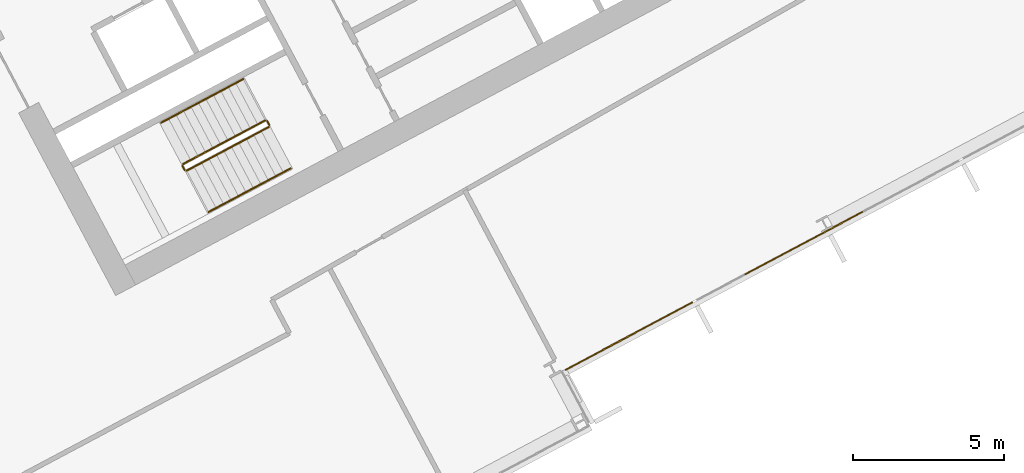
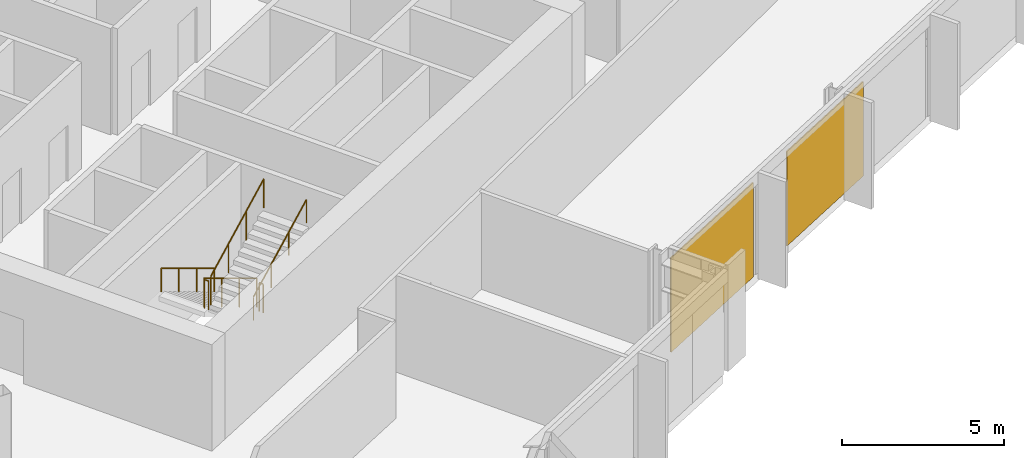
# One storey, part 25 of 28: 6 railings, 2 coverings, 1 element without a shape of its own.
"""IFC4 building model written with IfcOpenShell, lengths in metres."""

from ifc_helpers import new_model, si_unit, direction, frame, origin, origin_2d, place, context, subcontext, project, spatial, polyline, rectangle, outline, extrude, material, layer, layer_set, type_object, element, aggregate, save


model = new_model("IFC4")

# Units and contexts
model_context = context("Model", 3, precision=1e-05, world=origin(), true_north=direction((0.0, 1.0)))
body_context = subcontext(model_context, "Body", "Model", "MODEL_VIEW")
ifc_project = project(units=[si_unit("LENGTHUNIT", "METRE"), si_unit("AREAUNIT", "SQUARE_METRE"), si_unit("VOLUMEUNIT", "CUBIC_METRE"), si_unit("PLANEANGLEUNIT", "RADIAN"), si_unit("MASSUNIT", "GRAM", prefix="KILO")], contexts=[model_context])

# Site, building, storey
site_placement = place(None, origin())
site = spatial("IfcSite", under=ifc_project, at=site_placement, CompositionType="ELEMENT")
building_placement = place(site_placement, origin())
building = spatial("IfcBuilding", under=site, at=building_placement, Name="Cormorant Relay Tower", CompositionType="ELEMENT")
storey_placement = place(building_placement, frame((0.0, 0.0, 142.199951171875)))
storey = spatial("IfcBuildingStorey", under=building, at=storey_placement, Name="L29", CompositionType="ELEMENT", Elevation=142.199951171875)

# Curtain wall, coverings
ifc_material_1 = material(Name="Aluminium 6063-T6 anodised bronze", Category="aluminium")
ifc_layer_1 = layer(ifc_material_1, 0.199951171875)
ifc_layer_set_1 = layer_set([ifc_layer_1], Name="CW1 unitised bronze curtain wall with vertical fins")
curtain_wall_type = type_object("IfcCurtainWallType", Name="CW1 unitised bronze curtain wall with vertical fins", PredefinedType="NOTDEFINED", material=ifc_layer_set_1)
curtain_wall_placement = place(storey_placement, origin())
curtain_wall = element("IfcCurtainWall", 1, at=curtain_wall_placement, inside=storey, type_object=curtain_wall_type, Name="CW1 curtain wall 4", PredefinedType="NOTDEFINED")
ifc_material_2 = material(Name="Pale bronze anodised aluminium insulated panel", Category="aluminium")
ifc_layer_2 = layer(ifc_material_2, 0.0400390625)
ifc_layer_set_2 = layer_set([ifc_layer_2], Name="CW1 pale bronze insulated panel 40")
covering_type = type_object("IfcCoveringType", Name="CW1 pale bronze insulated panel 40", PredefinedType="CLADDING", material=ifc_layer_set_2)
covering_1_placement = place(storey_placement, frame((35.892333984375, -2.457275390625, 0.0), z_axis=(0.0, 0.0, 1.0), x_axis=(0.882947592859, 0.469471562786, 0.0)))
covering_1 = element("IfcCovering", 2, at=covering_1_placement, type_object=covering_type, Name="CW1 panel S00", PredefinedType="CLADDING", context=body_context, shape_type="SweptSolid", body=[
    extrude(rectangle(XDim=4.77490234375, YDim=0.0400390625, at=origin_2d()), origin(), (0.0, 0.0, 1.0), 3.550048828125),
])
covering_2_placement = place(storey_placement, frame((41.686767578125, 0.623779296875, 0.0), z_axis=(0.0, 0.0, 1.0), x_axis=(0.882947592859, 0.469471562786, 0.0)))
covering_2 = element("IfcCovering", 3, at=covering_2_placement, type_object=covering_type, Name="CW1 panel S02", PredefinedType="CLADDING", context=body_context, shape_type="SweptSolid", body=[
    extrude(rectangle(XDim=4.449951171875, YDim=0.0400390625, at=origin_2d()), origin(), (0.0, 0.0, 1.0), 3.550048828125),
])
aggregate(curtain_wall, [covering_1, covering_2])

# Railings
ifc_material_3 = material(Name="Steel ASTM A572 Grade 50 (Fy 345 MPa)", Category="steel")
railing_type_1 = type_object("IfcRailingType", Name="Stair guard 1100", PredefinedType="GUARDRAIL", material=ifc_material_3)
railing_1_placement = place(storey_placement, frame((23.83837890625, 4.6904296875, 0.166748046875)))
element("IfcRailing", 4, at=railing_1_placement, inside=storey, type_object=railing_type_1, Name="L29 B1 stair guard 1", PredefinedType="GUARDRAIL", context=body_context, shape_type="SweptSolid", body=[
    extrude(outline(polyline([(0.022216796875, 0.00927734375), (0.00927734375, 0.022216796875), (-0.00927734375, 0.022216796875), (-0.022216796875, 0.00927734375), (-0.022216796875, -0.00927734375), (-0.00927734375, -0.022216796875), (0.00927734375, -0.022216796875), (0.022216796875, -0.00927734375), (0.022216796875, 0.00927734375)])), frame((0.0, 0.0, 1.076171875), z_axis=(-0.758713656843, -0.403434867536, 0.511462505542), x_axis=(0.469489399267, -0.882938108802, 0.0)), (0.0, 0.0, 1.0), 3.584228515625),
    extrude(outline(polyline([(0.019287109375, 0.008056640625), (0.008056640625, 0.019287109375), (-0.008056640625, 0.019287109375), (-0.019287109375, 0.008056640625), (-0.019287109375, -0.008056640625), (-0.008056640625, -0.019287109375), (0.008056640625, -0.019287109375), (0.019287109375, -0.008056640625), (0.019287109375, 0.008056640625)])), origin(), (0.0, 0.0, 1.0), 1.052001953125),
    extrude(outline(polyline([(0.019287109375, 0.008056640625), (0.008056640625, 0.019287109375), (-0.008056640625, 0.019287109375), (-0.019287109375, 0.008056640625), (-0.019287109375, -0.008056640625), (-0.008056640625, -0.019287109375), (0.008056640625, -0.019287109375), (0.019287109375, -0.008056640625), (0.019287109375, 0.008056640625)])), frame((-0.906494140625, -0.48193359375, 0.611083984375)), (0.0, 0.0, 1.0), 1.052001953125),
    extrude(outline(polyline([(0.019287109375, 0.008056640625), (0.008056640625, 0.019287109375), (-0.008056640625, 0.019287109375), (-0.019287109375, 0.008056640625), (-0.019287109375, -0.008056640625), (-0.008056640625, -0.019287109375), (0.008056640625, -0.019287109375), (0.019287109375, -0.008056640625), (0.019287109375, 0.008056640625)])), frame((-1.81298828125, -0.964111328125, 1.22216796875)), (0.0, 0.0, 1.0), 1.052001953125),
    extrude(outline(polyline([(0.019287109375, 0.008056640625), (0.008056640625, 0.019287109375), (-0.008056640625, 0.019287109375), (-0.019287109375, 0.008056640625), (-0.019287109375, -0.008056640625), (-0.008056640625, -0.019287109375), (0.008056640625, -0.019287109375), (0.019287109375, -0.008056640625), (0.019287109375, 0.008056640625)])), frame((-2.719482421875, -1.446044921875, 1.833251953125)), (0.0, 0.0, 1.0), 1.052001953125),
])
railing_2_placement = place(storey_placement, frame((21.09814453125, 3.1767578125, 2.0)))
element("IfcRailing", 5, at=railing_2_placement, inside=storey, type_object=railing_type_1, Name="L29 B1 stair guard 2", PredefinedType="GUARDRAIL", context=body_context, shape_type="SweptSolid", body=[
    extrude(outline(polyline([(0.022216796875, 0.00927734375), (0.00927734375, 0.022216796875), (-0.00927734375, 0.022216796875), (-0.022216796875, 0.00927734375), (-0.022216796875, -0.00927734375), (-0.00927734375, -0.022216796875), (0.00927734375, -0.022216796875), (0.022216796875, -0.00927734375), (0.022216796875, 0.00927734375)])), frame((0.0, 0.0, 1.076171875), z_axis=(0.469234640946, -0.883073525669, 0.0), x_axis=(0.883073525669, 0.469234640946, 0.0)), (0.0, 0.0, 1.0), 0.14990234375),
    extrude(outline(polyline([(0.019287109375, 0.008056640625), (0.008056640625, 0.019287109375), (-0.008056640625, 0.019287109375), (-0.019287109375, 0.008056640625), (-0.019287109375, -0.008056640625), (-0.008056640625, -0.019287109375), (0.008056640625, -0.019287109375), (0.019287109375, -0.008056640625), (0.019287109375, 0.008056640625)])), origin(), (0.0, 0.0, 1.0), 1.052001953125),
    extrude(outline(polyline([(0.019287109375, 0.008056640625), (0.008056640625, 0.019287109375), (-0.008056640625, 0.019287109375), (-0.019287109375, 0.008056640625), (-0.019287109375, -0.008056640625), (-0.008056640625, -0.019287109375), (0.008056640625, -0.019287109375), (0.019287109375, -0.008056640625), (0.019287109375, 0.008056640625)])), frame((0.0703125, -0.13232421875, 0.0)), (0.0, 0.0, 1.0), 1.052001953125),
])
railing_3_placement = place(storey_placement, frame((21.236083984375, 3.023681640625, 2.166748046875)))
element("IfcRailing", 6, at=railing_3_placement, inside=storey, type_object=railing_type_1, Name="L29 B1 stair guard 3", PredefinedType="GUARDRAIL", context=body_context, shape_type="SweptSolid", body=[
    extrude(outline(polyline([(0.022216796875, 0.00927734375), (0.00927734375, 0.022216796875), (-0.00927734375, 0.022216796875), (-0.022216796875, 0.00927734375), (-0.022216796875, -0.00927734375), (-0.00927734375, -0.022216796875), (0.00927734375, -0.022216796875), (0.022216796875, -0.00927734375), (0.022216796875, 0.00927734375)])), frame((0.0, 0.0, 1.076171875), z_axis=(0.758713656843, 0.403434867536, 0.511462505542), x_axis=(-0.469489399267, 0.882938108802, 0.0)), (0.0, 0.0, 1.0), 3.584228515625),
    extrude(outline(polyline([(0.019287109375, 0.008056640625), (0.008056640625, 0.019287109375), (-0.008056640625, 0.019287109375), (-0.019287109375, 0.008056640625), (-0.019287109375, -0.008056640625), (-0.008056640625, -0.019287109375), (0.008056640625, -0.019287109375), (0.019287109375, -0.008056640625), (0.019287109375, 0.008056640625)])), origin(), (0.0, 0.0, 1.0), 1.052001953125),
    extrude(outline(polyline([(0.019287109375, 0.008056640625), (0.008056640625, 0.019287109375), (-0.008056640625, 0.019287109375), (-0.019287109375, 0.008056640625), (-0.019287109375, -0.008056640625), (-0.008056640625, -0.019287109375), (0.008056640625, -0.019287109375), (0.019287109375, -0.008056640625), (0.019287109375, 0.008056640625)])), frame((0.906494140625, 0.48193359375, 0.611083984375)), (0.0, 0.0, 1.0), 1.052001953125),
    extrude(outline(polyline([(0.019287109375, 0.008056640625), (0.008056640625, 0.019287109375), (-0.008056640625, 0.019287109375), (-0.019287109375, 0.008056640625), (-0.019287109375, -0.008056640625), (-0.008056640625, -0.019287109375), (0.008056640625, -0.019287109375), (0.019287109375, -0.008056640625), (0.019287109375, 0.008056640625)])), frame((1.81298828125, 0.964111328125, 1.22216796875)), (0.0, 0.0, 1.0), 1.052001953125),
    extrude(outline(polyline([(0.019287109375, 0.008056640625), (0.008056640625, 0.019287109375), (-0.008056640625, 0.019287109375), (-0.019287109375, 0.008056640625), (-0.019287109375, -0.008056640625), (-0.008056640625, -0.019287109375), (0.008056640625, -0.019287109375), (0.019287109375, -0.008056640625), (0.019287109375, 0.008056640625)])), frame((2.719482421875, 1.446044921875, 1.833251953125)), (0.0, 0.0, 1.0), 1.052001953125),
])
railing_4_placement = place(storey_placement, frame((23.906005859375, 4.669677734375, 0.0)))
element("IfcRailing", 7, at=railing_4_placement, inside=storey, type_object=railing_type_1, Name="L29 B1 stair guard 4", PredefinedType="GUARDRAIL", context=body_context, shape_type="SweptSolid", body=[
    extrude(outline(polyline([(0.022216796875, 0.00927734375), (0.00927734375, 0.022216796875), (-0.00927734375, 0.022216796875), (-0.022216796875, 0.00927734375), (-0.022216796875, -0.00927734375), (-0.00927734375, -0.022216796875), (0.00927734375, -0.022216796875), (0.022216796875, -0.00927734375), (0.022216796875, 0.00927734375)])), frame((0.0, 0.0, 1.076171875), z_axis=(0.469234640946, -0.883073525669, 0.0), x_axis=(0.883073525669, 0.469234640946, 0.0)), (0.0, 0.0, 1.0), 0.14990234375),
    extrude(outline(polyline([(0.019287109375, 0.008056640625), (0.008056640625, 0.019287109375), (-0.008056640625, 0.019287109375), (-0.019287109375, 0.008056640625), (-0.019287109375, -0.008056640625), (-0.008056640625, -0.019287109375), (0.008056640625, -0.019287109375), (0.019287109375, -0.008056640625), (0.019287109375, 0.008056640625)])), origin(), (0.0, 0.0, 1.0), 1.052001953125),
    extrude(outline(polyline([(0.019287109375, 0.008056640625), (0.008056640625, 0.019287109375), (-0.008056640625, 0.019287109375), (-0.019287109375, 0.008056640625), (-0.019287109375, -0.008056640625), (-0.008056640625, -0.019287109375), (0.008056640625, -0.019287109375), (0.019287109375, -0.008056640625), (0.019287109375, 0.008056640625)])), frame((0.0703125, -0.13232421875, 0.0)), (0.0, 0.0, 1.0), 1.052001953125),
])
ifc_material_4 = material(Name="Steel ASTM A572 Grade 50 (Fy 345 MPa)", Category="steel")
railing_type_2 = type_object("IfcRailingType", Name="Stair handrail 900", PredefinedType="HANDRAIL", material=ifc_material_4)
railing_5_placement = place(storey_placement, frame((23.110595703125, 6.05908203125, 0.166748046875)))
element("IfcRailing", 8, at=railing_5_placement, inside=storey, type_object=railing_type_2, Name="L29 B1 stair handrail 1", PredefinedType="HANDRAIL", context=body_context, shape_type="SweptSolid", body=[
    extrude(outline(polyline([(0.022216796875, 0.00927734375), (0.00927734375, 0.022216796875), (-0.00927734375, 0.022216796875), (-0.022216796875, 0.00927734375), (-0.022216796875, -0.00927734375), (-0.00927734375, -0.022216796875), (0.00927734375, -0.022216796875), (0.022216796875, -0.00927734375), (0.022216796875, 0.00927734375)])), frame((0.0, 0.0, 0.8759765625), z_axis=(-0.758713656843, -0.403434867536, 0.511462505542), x_axis=(0.469489399267, -0.882938108802, 0.0)), (0.0, 0.0, 1.0), 3.584228515625),
    extrude(outline(polyline([(0.019287109375, 0.008056640625), (0.008056640625, 0.019287109375), (-0.008056640625, 0.019287109375), (-0.019287109375, 0.008056640625), (-0.019287109375, -0.008056640625), (-0.008056640625, -0.019287109375), (0.008056640625, -0.019287109375), (0.019287109375, -0.008056640625), (0.019287109375, 0.008056640625)])), origin(), (0.0, 0.0, 1.0), 0.851806640625),
    extrude(outline(polyline([(0.019287109375, 0.008056640625), (0.008056640625, 0.019287109375), (-0.008056640625, 0.019287109375), (-0.019287109375, 0.008056640625), (-0.019287109375, -0.008056640625), (-0.008056640625, -0.019287109375), (0.008056640625, -0.019287109375), (0.019287109375, -0.008056640625), (0.019287109375, 0.008056640625)])), frame((-0.906494140625, -0.48193359375, 0.611083984375)), (0.0, 0.0, 1.0), 0.851806640625),
    extrude(outline(polyline([(0.019287109375, 0.008056640625), (0.008056640625, 0.019287109375), (-0.008056640625, 0.019287109375), (-0.019287109375, 0.008056640625), (-0.019287109375, -0.008056640625), (-0.008056640625, -0.019287109375), (0.008056640625, -0.019287109375), (0.019287109375, -0.008056640625), (0.019287109375, 0.008056640625)])), frame((-1.81298828125, -0.964111328125, 1.22216796875)), (0.0, 0.0, 1.0), 0.851806640625),
    extrude(outline(polyline([(0.019287109375, 0.008056640625), (0.008056640625, 0.019287109375), (-0.008056640625, 0.019287109375), (-0.019287109375, 0.008056640625), (-0.019287109375, -0.008056640625), (-0.008056640625, -0.019287109375), (0.008056640625, -0.019287109375), (0.019287109375, -0.008056640625), (0.019287109375, 0.008056640625)])), frame((-2.719482421875, -1.446044921875, 1.833251953125)), (0.0, 0.0, 1.0), 0.851806640625),
])
railing_6_placement = place(storey_placement, frame((21.9638671875, 1.6552734375, 2.166748046875)))
element("IfcRailing", 9, at=railing_6_placement, inside=storey, type_object=railing_type_2, Name="L29 B1 stair handrail 2", PredefinedType="HANDRAIL", context=body_context, shape_type="SweptSolid", body=[
    extrude(outline(polyline([(0.022216796875, 0.00927734375), (0.00927734375, 0.022216796875), (-0.00927734375, 0.022216796875), (-0.022216796875, 0.00927734375), (-0.022216796875, -0.00927734375), (-0.00927734375, -0.022216796875), (0.00927734375, -0.022216796875), (0.022216796875, -0.00927734375), (0.022216796875, 0.00927734375)])), frame((0.0, 0.0, 0.8759765625), z_axis=(0.758734504837, 0.403377838015, 0.511476559549), x_axis=(-0.469427602063, 0.882970965786, 0.0)), (0.0, 0.0, 1.0), 3.584228515625),
    extrude(outline(polyline([(0.019287109375, 0.008056640625), (0.008056640625, 0.019287109375), (-0.008056640625, 0.019287109375), (-0.019287109375, 0.008056640625), (-0.019287109375, -0.008056640625), (-0.008056640625, -0.019287109375), (0.008056640625, -0.019287109375), (0.019287109375, -0.008056640625), (0.019287109375, 0.008056640625)])), origin(), (0.0, 0.0, 1.0), 0.851806640625),
    extrude(outline(polyline([(0.019287109375, 0.008056640625), (0.008056640625, 0.019287109375), (-0.008056640625, 0.019287109375), (-0.019287109375, 0.008056640625), (-0.019287109375, -0.008056640625), (-0.008056640625, -0.019287109375), (0.008056640625, -0.019287109375), (0.019287109375, -0.008056640625), (0.019287109375, 0.008056640625)])), frame((0.906494140625, 0.48193359375, 0.611083984375)), (0.0, 0.0, 1.0), 0.851806640625),
    extrude(outline(polyline([(0.019287109375, 0.008056640625), (0.008056640625, 0.019287109375), (-0.008056640625, 0.019287109375), (-0.019287109375, 0.008056640625), (-0.019287109375, -0.008056640625), (-0.008056640625, -0.019287109375), (0.008056640625, -0.019287109375), (0.019287109375, -0.008056640625), (0.019287109375, 0.008056640625)])), frame((1.81298828125, 0.9638671875, 1.22216796875)), (0.0, 0.0, 1.0), 0.851806640625),
    extrude(outline(polyline([(0.019287109375, 0.008056640625), (0.008056640625, 0.019287109375), (-0.008056640625, 0.019287109375), (-0.019287109375, 0.008056640625), (-0.019287109375, -0.008056640625), (-0.008056640625, -0.019287109375), (0.008056640625, -0.019287109375), (0.019287109375, -0.008056640625), (0.019287109375, 0.008056640625)])), frame((2.719482421875, 1.44580078125, 1.833251953125)), (0.0, 0.0, 1.0), 0.851806640625),
])

save(model, "model.ifc")
